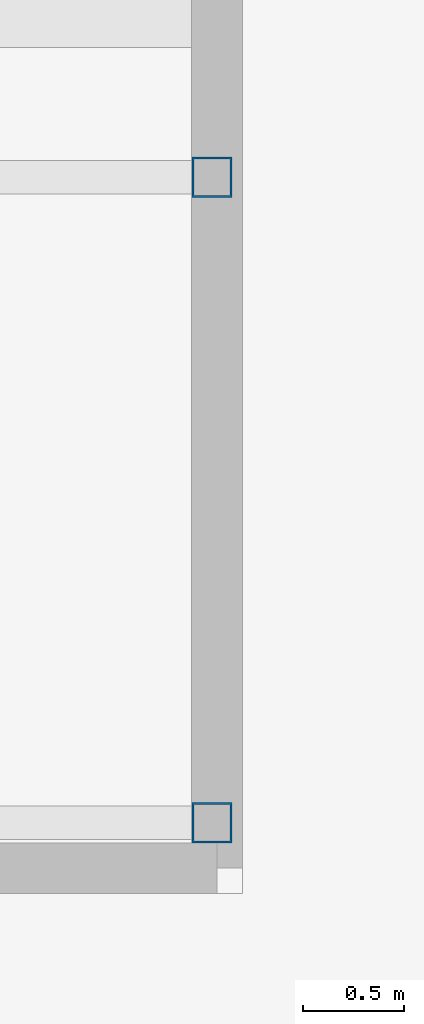
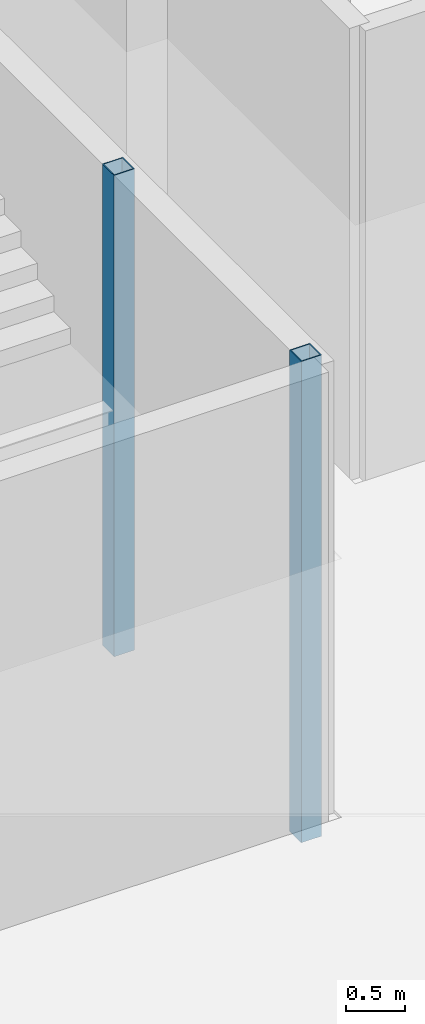
# One storey, part 2 of 33: 2 columns.
"""IFC4 building model written with IfcOpenShell, lengths in metres."""

from ifc_helpers import new_model, si_unit, direction, frame, origin, origin_2d, place, context, subcontext, project, spatial, hollow_rectangle, extrude, material, material_profile, profile_set, type_object, element, save


model = new_model("IFC4")

# Units and contexts
model_context = context("Model", 3, precision=1e-05, world=origin(), true_north=direction((0.0, 1.0)))
body_context = subcontext(model_context, "Body", "Model", "MODEL_VIEW")
ifc_project = project(units=[si_unit("LENGTHUNIT", "METRE"), si_unit("AREAUNIT", "SQUARE_METRE"), si_unit("VOLUMEUNIT", "CUBIC_METRE"), si_unit("PLANEANGLEUNIT", "RADIAN"), si_unit("MASSUNIT", "GRAM", prefix="KILO")], contexts=[model_context])

# Site, building, storey
site_placement = place(None, origin())
site = spatial("IfcSite", under=ifc_project, at=site_placement, CompositionType="ELEMENT")
building_placement = place(site_placement, origin())
building = spatial("IfcBuilding", under=site, at=building_placement, Name="Dunama Terrace Hotel", CompositionType="ELEMENT")
storey_placement = place(building_placement, frame((0.0, 0.0, 12.0)))
storey = spatial("IfcBuildingStorey", under=building, at=storey_placement, Name="L02", CompositionType="ELEMENT", Elevation=12.0)

# Columns
ifc_material = material(Name="Steel S355", Category="steel")
ifc_material_profile = material_profile(ifc_material, hollow_rectangle(XDim=0.199951171875, YDim=0.199951171875, WallThickness=0.010009765625, at=origin_2d()), Name="SHS 200x200x10")
ifc_profile_set = profile_set([ifc_material_profile], Name="Steel S355")
column_type = type_object("IfcColumnType", Name="Stair post SHS 200x200x10", PredefinedType="COLUMN", material=ifc_profile_set)
for number, where, z_axis, x_axis, name in (
    (1, (-2.824951171875, 3.41259765625, -0.300048828125), (0.0, 0.0, 1.0), (1.0, 0.0, 0.0), "Stair post P4 L02 -2.83/+3.41"),
    (2, (-2.824951171875, 0.22509765625, -0.300048828125), (0.0, 0.0, 1.0), (1.0, 0.0, 0.0), "Stair post P4 L02 -2.83/+0.23"),
):
    element("IfcColumn", number, at=place(storey_placement, frame(where, z_axis=z_axis, x_axis=x_axis)), inside=storey, type_object=column_type, Name=name, PredefinedType="COLUMN", context=body_context, shape_type="SweptSolid", body=[
        extrude(hollow_rectangle(XDim=0.199951171875, YDim=0.199951171875, WallThickness=0.010009765625, at=origin_2d()), origin(), (0.0, 0.0, 1.0), 5.0),
    ])

save(model, "model.ifc")
